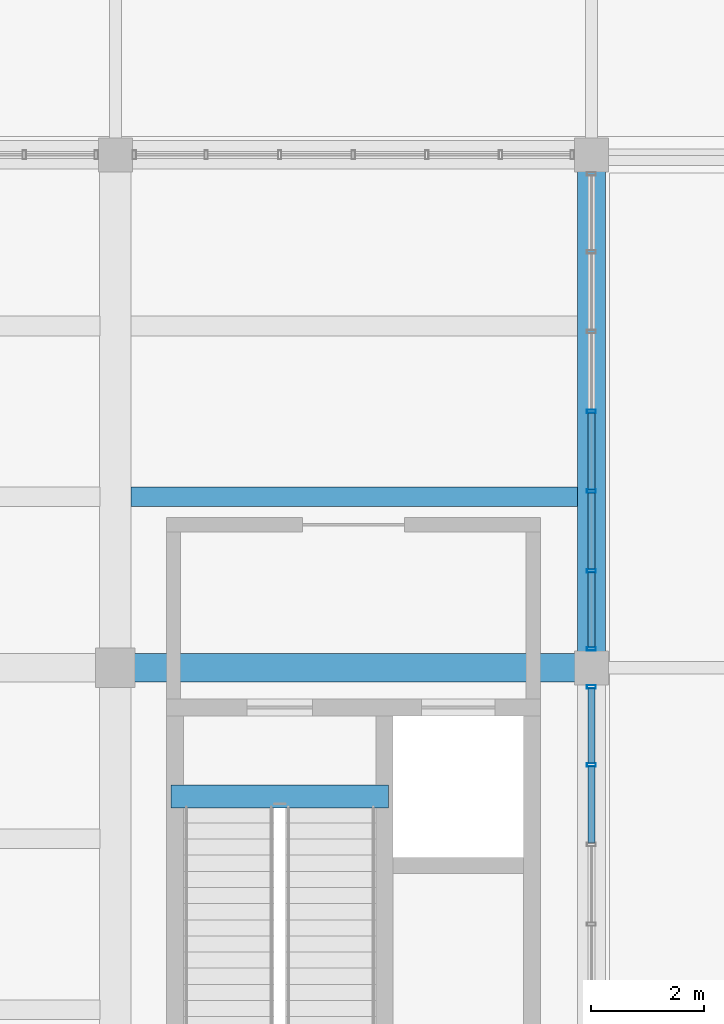
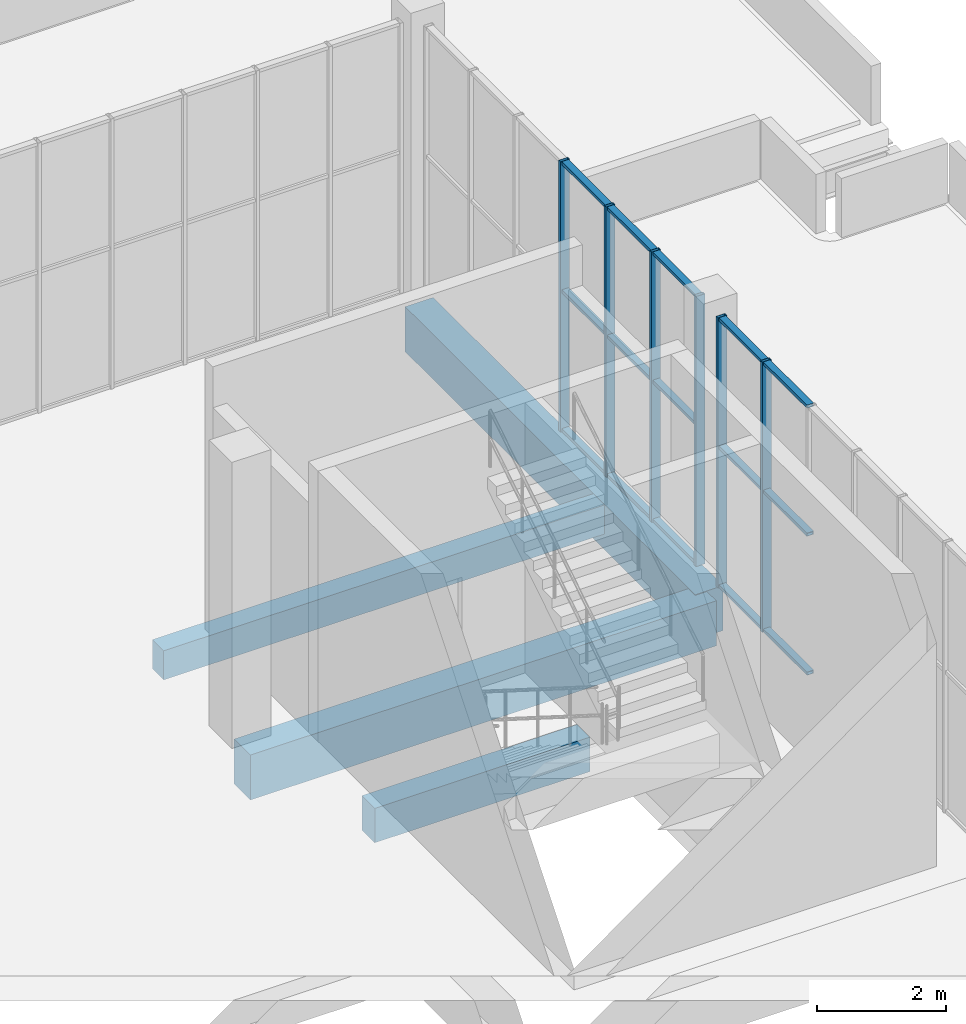
# One storey, part 83 of 132: 21 members, 4 beams, 2 elements without a shape of their own.
"""IFC4 building model written with IfcOpenShell, lengths in metres."""

from ifc_helpers import new_model, si_unit, direction, frame, origin, origin_2d, place, context, subcontext, project, spatial, rectangle, hollow_rectangle, extrude, material, material_profile, profile_set, type_object, element, aggregate, save


model = new_model("IFC4")

# Units and contexts
model_context = context("Model", 3, precision=1e-05, world=origin(), true_north=direction((0.0, 1.0)))
body_context = subcontext(model_context, "Body", "Model", "MODEL_VIEW")
ifc_project = project(units=[si_unit("LENGTHUNIT", "METRE"), si_unit("AREAUNIT", "SQUARE_METRE"), si_unit("VOLUMEUNIT", "CUBIC_METRE"), si_unit("PLANEANGLEUNIT", "RADIAN"), si_unit("MASSUNIT", "GRAM", prefix="KILO")], contexts=[model_context])

# Site, building, storey
site_placement = place(None, origin())
site = spatial("IfcSite", under=ifc_project, at=site_placement, CompositionType="ELEMENT")
building_placement = place(site_placement, origin())
building = spatial("IfcBuilding", under=site, at=building_placement, Name="Khurvash Pelagic Aquarium", CompositionType="ELEMENT")
storey_placement = place(building_placement, frame((0.0, 0.0, 5.39990234375)))
storey = spatial("IfcBuildingStorey", under=building, at=storey_placement, Name="L01", CompositionType="ELEMENT", Elevation=5.39990234375)

# Beams
ifc_material_1 = material(Name="Concrete C40/50", Category="concrete")
ifc_material_profile_1 = material_profile(ifc_material_1, rectangle(XDim=0.5, YDim=0.85009765625, at=origin_2d()), Name="RC500X850")
ifc_profile_set_1 = profile_set([ifc_material_profile_1], Name="Concrete C40/50")
beam_type_1 = type_object("IfcBeamType", Name="BM-03", PredefinedType="BEAM", material=ifc_profile_set_1)
beam_1_placement = place(storey_placement, frame((109.239990234375, 93.10009765625, -0.744873046875), z_axis=(1.0, 0.0, 0.0), x_axis=(0.0, 1.0, 0.0)))
element("IfcBeam", 1, at=beam_1_placement, inside=storey, type_object=beam_type_1, Name="L01 Primary Girder BM-03 00336", PredefinedType="BEAM", context=body_context, shape_type="SweptSolid", body=[
    extrude(rectangle(XDim=0.5, YDim=0.85009765625, at=origin_2d()), origin(), (0.0, 0.0, 1.0), 8.320068359375),
])
ifc_material_2 = material(Name="Concrete C35/45", Category="concrete")
ifc_material_profile_2 = material_profile(ifc_material_2, rectangle(XDim=0.39990234375, YDim=0.64990234375, at=origin_2d()), Name="RC400X650")
ifc_profile_set_2 = profile_set([ifc_material_profile_2], Name="Concrete C35/45")
beam_type_2 = type_object("IfcBeamType", Name="BM-05", PredefinedType="BEAM", material=ifc_profile_set_2)
beam_2_placement = place(storey_placement, frame((110.179931640625, 90.830078125, -0.635009765625), z_axis=(1.0, 0.0, 0.0), x_axis=(0.0, 1.0, 0.0)))
element("IfcBeam", 2, at=beam_2_placement, inside=storey, type_object=beam_type_2, Name="L01 Stair ST-06 Header Trimmer Beam BM-05", PredefinedType="BEAM", context=body_context, shape_type="SweptSolid", body=[
    extrude(rectangle(XDim=0.39990234375, YDim=0.64990234375, at=origin_2d()), origin(), (0.0, 0.0, 1.0), 3.840087890625),
])

# Curtain wall, members
ifc_material_3 = material(Name="Anodised aluminium and low-E laminated glass", Category="aluminium")
curtain_wall_type = type_object("IfcCurtainWallType", Name="CW-06", PredefinedType="USERDEFINED", material=ifc_material_3)
curtain_wall_1_placement = place(storey_placement, origin())
curtain_wall_1 = element("IfcCurtainWall", 3, at=curtain_wall_1_placement, inside=storey, type_object=curtain_wall_type, Name="L01 Facade Unitised Curtain Wall CW-06 0112", ObjectType="UNITISED CURTAIN WALL", PredefinedType="USERDEFINED")
ifc_material_4 = material(Name="Extruded aluminium AW-6063-T6", Category="aluminium")
ifc_material_profile_3 = material_profile(ifc_material_4, hollow_rectangle(XDim=0.06005859375, YDim=0.159912109375, WallThickness=0.00390625, at=origin_2d()), Name="CWM60X160X4")
ifc_profile_set_3 = profile_set([ifc_material_profile_3], Name="Extruded aluminium AW-6063-T6")
member_type_1 = type_object("IfcMemberType", Name="CM-02", PredefinedType="MULLION", material=ifc_profile_set_3)
member_1_placement = place(storey_placement, frame((117.60009765625, 91.388427734375, 0.0), z_axis=(0.0, 0.0, 1.0), x_axis=(0.0, 1.0, 0.0)))
member_1 = element("IfcMember", 4, at=member_1_placement, type_object=member_type_1, Name="CW-06 mullion 6", PredefinedType="MULLION", context=body_context, shape_type="SweptSolid", body=[
    extrude(hollow_rectangle(XDim=0.06005859375, YDim=0.159912109375, WallThickness=0.00390625, at=origin_2d()), origin(), (0.0, 0.0, 1.0), 5.10009765625),
])
member_2_placement = place(storey_placement, frame((117.60009765625, 92.764892578125, 0.0), z_axis=(0.0, 0.0, 1.0), x_axis=(0.0, 1.0, 0.0)))
member_2 = element("IfcMember", 5, at=member_2_placement, type_object=member_type_1, Name="CW-06 mullion 7", PredefinedType="MULLION", context=body_context, shape_type="SweptSolid", body=[
    extrude(hollow_rectangle(XDim=0.06005859375, YDim=0.159912109375, WallThickness=0.00390625, at=origin_2d()), origin(), (0.0, 0.0, 1.0), 5.10009765625),
])

curtain_wall_2_placement = place(storey_placement, origin())
curtain_wall_2 = element("IfcCurtainWall", 6, at=curtain_wall_2_placement, inside=storey, type_object=curtain_wall_type, Name="L01 Facade Unitised Curtain Wall CW-06 0113", ObjectType="UNITISED CURTAIN WALL", PredefinedType="USERDEFINED")
member_3_placement = place(storey_placement, frame((117.60009765625, 93.43505859375, 0.0), z_axis=(0.0, 0.0, 1.0), x_axis=(0.0, 1.0, 0.0)))
member_3 = element("IfcMember", 7, at=member_3_placement, type_object=member_type_1, Name="CW-06 mullion 1", PredefinedType="MULLION", context=body_context, shape_type="SweptSolid", body=[
    extrude(hollow_rectangle(XDim=0.06005859375, YDim=0.159912109375, WallThickness=0.00390625, at=origin_2d()), origin(), (0.0, 0.0, 1.0), 5.10009765625),
])
member_4_placement = place(storey_placement, frame((117.60009765625, 94.811767578125, 0.0), z_axis=(0.0, 0.0, 1.0), x_axis=(0.0, 1.0, 0.0)))
member_4 = element("IfcMember", 8, at=member_4_placement, type_object=member_type_1, Name="CW-06 mullion 2", PredefinedType="MULLION", context=body_context, shape_type="SweptSolid", body=[
    extrude(hollow_rectangle(XDim=0.06005859375, YDim=0.159912109375, WallThickness=0.00390625, at=origin_2d()), origin(), (0.0, 0.0, 1.0), 5.10009765625),
])
member_5_placement = place(storey_placement, frame((117.60009765625, 96.21826171875, 0.0), z_axis=(0.0, 0.0, 1.0), x_axis=(0.0, 1.0, 0.0)))
member_5 = element("IfcMember", 9, at=member_5_placement, type_object=member_type_1, Name="CW-06 mullion 3", PredefinedType="MULLION", context=body_context, shape_type="SweptSolid", body=[
    extrude(hollow_rectangle(XDim=0.06005859375, YDim=0.159912109375, WallThickness=0.00390625, at=origin_2d()), origin(), (0.0, 0.0, 1.0), 5.10009765625),
])
member_6_placement = place(storey_placement, frame((117.60009765625, 97.625, 0.0), z_axis=(0.0, 0.0, 1.0), x_axis=(0.0, 1.0, 0.0)))
member_6 = element("IfcMember", 10, at=member_6_placement, type_object=member_type_1, Name="CW-06 mullion 4", PredefinedType="MULLION", context=body_context, shape_type="SweptSolid", body=[
    extrude(hollow_rectangle(XDim=0.06005859375, YDim=0.159912109375, WallThickness=0.00390625, at=origin_2d()), origin(), (0.0, 0.0, 1.0), 5.10009765625),
])

# Member
ifc_material_profile_4 = material_profile(ifc_material_4, hollow_rectangle(XDim=0.1201171875, YDim=0.06005859375, WallThickness=0.00390625, at=origin_2d()), Name="CWT120X60X4")
ifc_profile_set_4 = profile_set([ifc_material_profile_4], Name="Extruded aluminium AW-6063-T6")
member_type_2 = type_object("IfcMemberType", Name="CT-02", PredefinedType="USERDEFINED", material=ifc_profile_set_4)
member_7_placement = place(storey_placement, frame((117.60009765625, 90.01171875, 0.030029296875), z_axis=(0.0, 1.0, 0.0), x_axis=(-1.0, 0.0, 0.0)))
member_7 = element("IfcMember", 11, at=member_7_placement, type_object=member_type_2, Name="CW-06 transom 5.1", ObjectType="TRANSOM", PredefinedType="USERDEFINED", context=body_context, shape_type="SweptSolid", body=[
    extrude(hollow_rectangle(XDim=0.1201171875, YDim=0.06005859375, WallThickness=0.00390625, at=origin_2d()), origin(), (0.0, 0.0, 1.0), 1.3466796875),
])

member_8_placement = place(storey_placement, frame((117.60009765625, 90.01171875, 2.652099609375), z_axis=(0.0, 1.0, 0.0), x_axis=(-1.0, 0.0, 0.0)))
member_8 = element("IfcMember", 12, at=member_8_placement, type_object=member_type_2, Name="CW-06 transom 5.2", ObjectType="TRANSOM", PredefinedType="USERDEFINED", context=body_context, shape_type="SweptSolid", body=[
    extrude(hollow_rectangle(XDim=0.1201171875, YDim=0.06005859375, WallThickness=0.00390625, at=origin_2d()), origin(), (0.0, 0.0, 1.0), 1.3466796875),
])

member_9_placement = place(storey_placement, frame((117.60009765625, 90.01171875, 5.070068359375), z_axis=(0.0, 1.0, 0.0), x_axis=(-1.0, 0.0, 0.0)))
member_9 = element("IfcMember", 13, at=member_9_placement, type_object=member_type_2, Name="CW-06 transom 5.3", ObjectType="TRANSOM", PredefinedType="USERDEFINED", context=body_context, shape_type="SweptSolid", body=[
    extrude(hollow_rectangle(XDim=0.1201171875, YDim=0.06005859375, WallThickness=0.00390625, at=origin_2d()), origin(), (0.0, 0.0, 1.0), 1.3466796875),
])

member_10_placement = place(storey_placement, frame((117.60009765625, 91.418212890625, 0.030029296875), z_axis=(0.0, 1.0, 0.0), x_axis=(-1.0, 0.0, 0.0)))
member_10 = element("IfcMember", 14, at=member_10_placement, type_object=member_type_2, Name="CW-06 transom 6.1", ObjectType="TRANSOM", PredefinedType="USERDEFINED", context=body_context, shape_type="SweptSolid", body=[
    extrude(hollow_rectangle(XDim=0.1201171875, YDim=0.06005859375, WallThickness=0.00390625, at=origin_2d()), origin(), (0.0, 0.0, 1.0), 1.31689453125),
])

member_11_placement = place(storey_placement, frame((117.60009765625, 91.418212890625, 2.652099609375), z_axis=(0.0, 1.0, 0.0), x_axis=(-1.0, 0.0, 0.0)))
member_11 = element("IfcMember", 15, at=member_11_placement, type_object=member_type_2, Name="CW-06 transom 6.2", ObjectType="TRANSOM", PredefinedType="USERDEFINED", context=body_context, shape_type="SweptSolid", body=[
    extrude(hollow_rectangle(XDim=0.1201171875, YDim=0.06005859375, WallThickness=0.00390625, at=origin_2d()), origin(), (0.0, 0.0, 1.0), 1.31689453125),
])

member_12_placement = place(storey_placement, frame((117.60009765625, 91.418212890625, 5.070068359375), z_axis=(0.0, 1.0, 0.0), x_axis=(-1.0, 0.0, 0.0)))
member_12 = element("IfcMember", 16, at=member_12_placement, type_object=member_type_2, Name="CW-06 transom 6.3", ObjectType="TRANSOM", PredefinedType="USERDEFINED", context=body_context, shape_type="SweptSolid", body=[
    extrude(hollow_rectangle(XDim=0.1201171875, YDim=0.06005859375, WallThickness=0.00390625, at=origin_2d()), origin(), (0.0, 0.0, 1.0), 1.31689453125),
])

aggregate(curtain_wall_1, [member_1, member_2, member_7, member_8, member_9, member_10, member_11, member_12])

member_13_placement = place(storey_placement, frame((117.60009765625, 93.465087890625, 0.030029296875), z_axis=(0.0, 1.0, 0.0), x_axis=(-1.0, 0.0, 0.0)))
member_13 = element("IfcMember", 17, at=member_13_placement, type_object=member_type_2, Name="CW-06 transom 1.1", ObjectType="TRANSOM", PredefinedType="USERDEFINED", context=body_context, shape_type="SweptSolid", body=[
    extrude(hollow_rectangle(XDim=0.1201171875, YDim=0.06005859375, WallThickness=0.00390625, at=origin_2d()), origin(), (0.0, 0.0, 1.0), 1.316650390625),
])

member_14_placement = place(storey_placement, frame((117.60009765625, 93.465087890625, 2.652099609375), z_axis=(0.0, 1.0, 0.0), x_axis=(-1.0, 0.0, 0.0)))
member_14 = element("IfcMember", 18, at=member_14_placement, type_object=member_type_2, Name="CW-06 transom 1.2", ObjectType="TRANSOM", PredefinedType="USERDEFINED", context=body_context, shape_type="SweptSolid", body=[
    extrude(hollow_rectangle(XDim=0.1201171875, YDim=0.06005859375, WallThickness=0.00390625, at=origin_2d()), origin(), (0.0, 0.0, 1.0), 1.316650390625),
])

member_15_placement = place(storey_placement, frame((117.60009765625, 93.465087890625, 5.070068359375), z_axis=(0.0, 1.0, 0.0), x_axis=(-1.0, 0.0, 0.0)))
member_15 = element("IfcMember", 19, at=member_15_placement, type_object=member_type_2, Name="CW-06 transom 1.3", ObjectType="TRANSOM", PredefinedType="USERDEFINED", context=body_context, shape_type="SweptSolid", body=[
    extrude(hollow_rectangle(XDim=0.1201171875, YDim=0.06005859375, WallThickness=0.00390625, at=origin_2d()), origin(), (0.0, 0.0, 1.0), 1.316650390625),
])

member_16_placement = place(storey_placement, frame((117.60009765625, 94.841552734375, 0.030029296875), z_axis=(0.0, 1.0, 0.0), x_axis=(-1.0, 0.0, 0.0)))
member_16 = element("IfcMember", 20, at=member_16_placement, type_object=member_type_2, Name="CW-06 transom 2.1", ObjectType="TRANSOM", PredefinedType="USERDEFINED", context=body_context, shape_type="SweptSolid", body=[
    extrude(hollow_rectangle(XDim=0.1201171875, YDim=0.06005859375, WallThickness=0.00390625, at=origin_2d()), origin(), (0.0, 0.0, 1.0), 1.3466796875),
])

member_17_placement = place(storey_placement, frame((117.60009765625, 94.841552734375, 2.652099609375), z_axis=(0.0, 1.0, 0.0), x_axis=(-1.0, 0.0, 0.0)))
member_17 = element("IfcMember", 21, at=member_17_placement, type_object=member_type_2, Name="CW-06 transom 2.2", ObjectType="TRANSOM", PredefinedType="USERDEFINED", context=body_context, shape_type="SweptSolid", body=[
    extrude(hollow_rectangle(XDim=0.1201171875, YDim=0.06005859375, WallThickness=0.00390625, at=origin_2d()), origin(), (0.0, 0.0, 1.0), 1.3466796875),
])

member_18_placement = place(storey_placement, frame((117.60009765625, 94.841552734375, 5.070068359375), z_axis=(0.0, 1.0, 0.0), x_axis=(-1.0, 0.0, 0.0)))
member_18 = element("IfcMember", 22, at=member_18_placement, type_object=member_type_2, Name="CW-06 transom 2.3", ObjectType="TRANSOM", PredefinedType="USERDEFINED", context=body_context, shape_type="SweptSolid", body=[
    extrude(hollow_rectangle(XDim=0.1201171875, YDim=0.06005859375, WallThickness=0.00390625, at=origin_2d()), origin(), (0.0, 0.0, 1.0), 1.3466796875),
])

member_19_placement = place(storey_placement, frame((117.60009765625, 96.248291015625, 0.030029296875), z_axis=(0.0, 1.0, 0.0), x_axis=(-1.0, 0.0, 0.0)))
member_19 = element("IfcMember", 23, at=member_19_placement, type_object=member_type_2, Name="CW-06 transom 3.1", ObjectType="TRANSOM", PredefinedType="USERDEFINED", context=body_context, shape_type="SweptSolid", body=[
    extrude(hollow_rectangle(XDim=0.1201171875, YDim=0.06005859375, WallThickness=0.00390625, at=origin_2d()), origin(), (0.0, 0.0, 1.0), 1.3466796875),
])

member_20_placement = place(storey_placement, frame((117.60009765625, 96.248291015625, 2.652099609375), z_axis=(0.0, 1.0, 0.0), x_axis=(-1.0, 0.0, 0.0)))
member_20 = element("IfcMember", 24, at=member_20_placement, type_object=member_type_2, Name="CW-06 transom 3.2", ObjectType="TRANSOM", PredefinedType="USERDEFINED", context=body_context, shape_type="SweptSolid", body=[
    extrude(hollow_rectangle(XDim=0.1201171875, YDim=0.06005859375, WallThickness=0.00390625, at=origin_2d()), origin(), (0.0, 0.0, 1.0), 1.3466796875),
])

member_21_placement = place(storey_placement, frame((117.60009765625, 96.248291015625, 5.070068359375), z_axis=(0.0, 1.0, 0.0), x_axis=(-1.0, 0.0, 0.0)))
member_21 = element("IfcMember", 25, at=member_21_placement, type_object=member_type_2, Name="CW-06 transom 3.3", ObjectType="TRANSOM", PredefinedType="USERDEFINED", context=body_context, shape_type="SweptSolid", body=[
    extrude(hollow_rectangle(XDim=0.1201171875, YDim=0.06005859375, WallThickness=0.00390625, at=origin_2d()), origin(), (0.0, 0.0, 1.0), 1.3466796875),
])

aggregate(curtain_wall_2, [member_3, member_4, member_5, member_6, member_13, member_14, member_15, member_16, member_17, member_18, member_19, member_20, member_21])

# Beams
ifc_material_profile_5 = material_profile(ifc_material_2, rectangle(XDim=0.35009765625, YDim=0.550048828125, at=origin_2d()), Name="RC350X550")
ifc_profile_set_5 = profile_set([ifc_material_profile_5], Name="Concrete C35/45")
beam_type_3 = type_object("IfcBeamType", Name="JS-01", PredefinedType="JOIST", material=ifc_profile_set_5)
beam_3_placement = place(storey_placement, frame((109.47509765625, 96.116943359375, -0.5849609375), z_axis=(1.0, 0.0, 0.0), x_axis=(0.0, 1.0, 0.0)))
element("IfcBeam", 26, at=beam_3_placement, inside=storey, type_object=beam_type_3, Name="L01 Floor Joist JS-01 00556", PredefinedType="JOIST", context=body_context, shape_type="SweptSolid", body=[
    extrude(rectangle(XDim=0.35009765625, YDim=0.550048828125, at=origin_2d()), origin(), (0.0, 0.0, 1.0), 7.875),
])
ifc_material_profile_6 = material_profile(ifc_material_1, rectangle(XDim=0.5, YDim=0.85009765625, at=origin_2d()), Name="RC500X850")
ifc_profile_set_6 = profile_set([ifc_material_profile_6], Name="Concrete C40/50")
beam_type_4 = type_object("IfcBeamType", Name="SEB-03", PredefinedType="SPANDREL", material=ifc_profile_set_6)
beam_4_placement = place(storey_placement, frame((117.60009765625, 93.139892578125, -0.73486328125), z_axis=(0.0, 1.0, 0.0), x_axis=(-1.0, 0.0, 0.0)))
element("IfcBeam", 27, at=beam_4_placement, inside=storey, type_object=beam_type_4, Name="L01 Primary Girder SEB-03 00427", PredefinedType="SPANDREL", context=body_context, shape_type="SweptSolid", body=[
    extrude(rectangle(XDim=0.5, YDim=0.85009765625, at=origin_2d()), origin(), (0.0, 0.0, 1.0), 8.97021484375),
])

save(model, "model.ifc")
